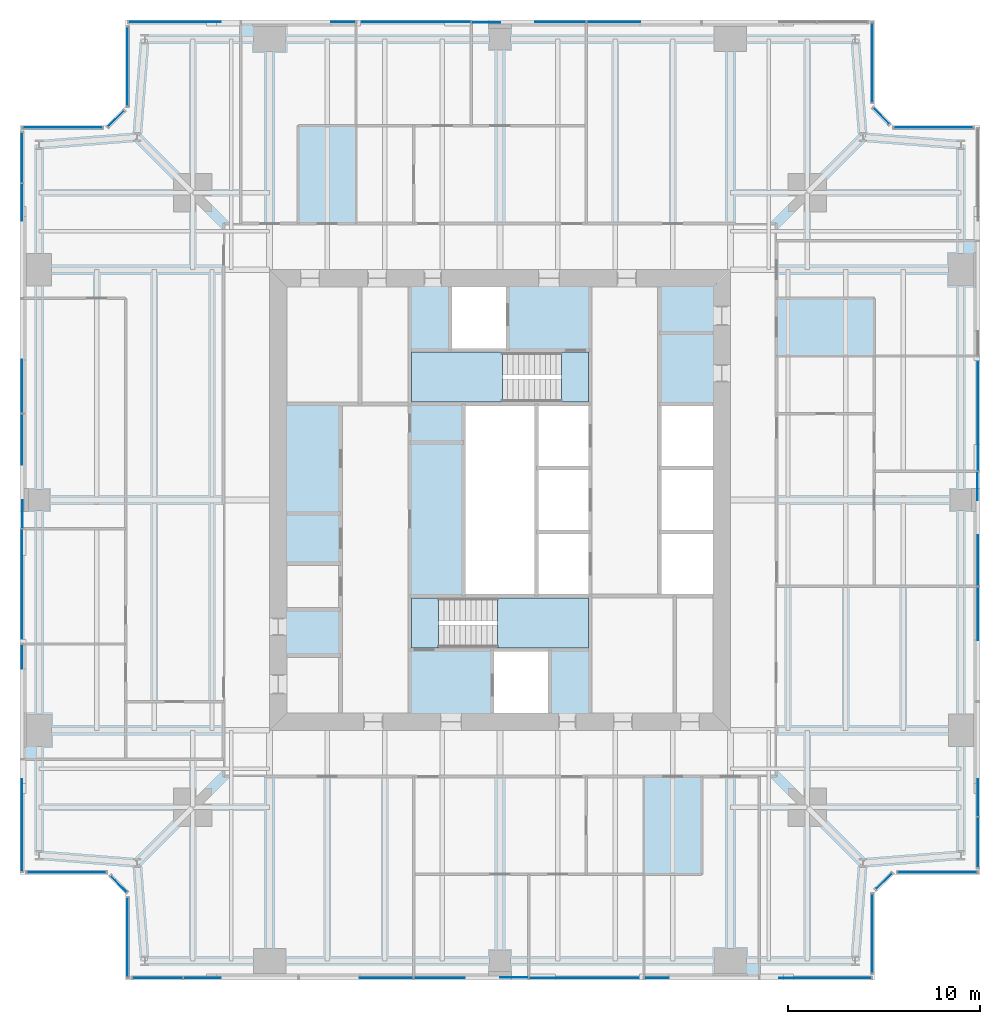
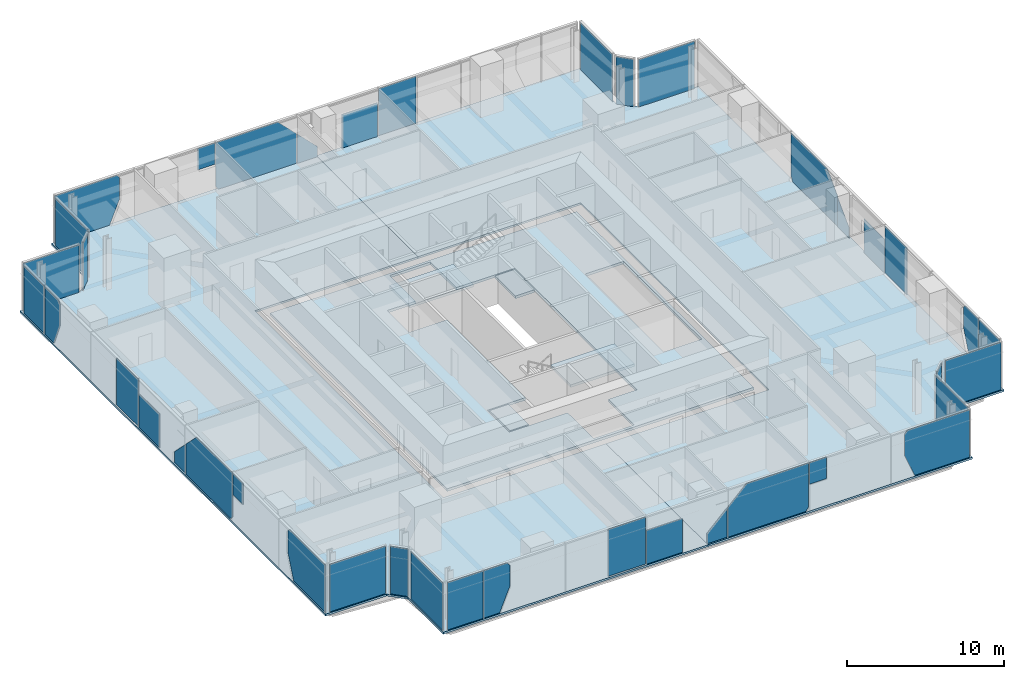
# One storey, part 8 of 15: 40 plates, 7 slabs, 18 elements without a shape of their own.
"""IFC4 building model written with IfcOpenShell, lengths in metres."""

from ifc_helpers import new_model, si_unit, direction, frame, origin, origin_2d, place, context, subcontext, project, spatial, polyline, rectangle, outline, extrude, material, layer, layer_set, type_object, element, aggregate, save


model = new_model("IFC4")

# Units and contexts
model_context = context("Model", 3, precision=1e-05, world=origin(), true_north=direction((0.0, 1.0)))
body_context = subcontext(model_context, "Body", "Model", "MODEL_VIEW")
ifc_project = project(units=[si_unit("LENGTHUNIT", "METRE"), si_unit("AREAUNIT", "SQUARE_METRE"), si_unit("VOLUMEUNIT", "CUBIC_METRE"), si_unit("PLANEANGLEUNIT", "RADIAN"), si_unit("MASSUNIT", "GRAM", prefix="KILO")], contexts=[model_context])

# Site, building, storey
site_placement = place(None, origin())
site = spatial("IfcSite", under=ifc_project, at=site_placement, CompositionType="ELEMENT")
building_placement = place(site_placement, origin())
building = spatial("IfcBuilding", under=site, at=building_placement, Name="Fenwick Lantern Interchange", CompositionType="ELEMENT")
storey_placement = place(building_placement, frame((0.0, 0.0, 229.800048828125)))
storey = spatial("IfcBuildingStorey", under=building, at=storey_placement, Name="L54", CompositionType="ELEMENT", Elevation=229.800048828125)

# Slabs
ifc_material_1 = material(Name="Concrete f'c 35 MPa", Category="concrete")
ifc_layer_1 = layer(ifc_material_1, 0.199951171875)
ifc_layer_set_1 = layer_set([ifc_layer_1], Name="CORE FLOOR SLAB 200")
slab_type_1 = type_object("IfcSlabType", Name="CORE FLOOR SLAB 200", PredefinedType="FLOOR", material=ifc_layer_set_1)
slab_1_placement = place(storey_placement, frame((0.0, 0.0, -0.199951171875)))
element("IfcSlab", 1, at=slab_1_placement, inside=storey, type_object=slab_type_1, Name="L54/SLAB/CORE", PredefinedType="FLOOR", context=body_context, shape_type="SweptSolid", body=[
    extrude(outline(polyline([(13.699951171875, 36.300048828125), (36.300048828125, 36.300048828125), (36.300048828125, 13.699951171875), (13.699951171875, 13.699951171875), (13.699951171875, 36.300048828125)]), holes=[polyline([(24.60009765625, 13.89990234375), (27.60009765625, 13.89990234375), (27.60009765625, 17.199951171875), (29.699951171875, 17.199951171875), (29.699951171875, 20.0), (29.699951171875, 23.333251953125), (29.699951171875, 26.666748046875), (29.699951171875, 30.0), (29.699951171875, 32.800048828125), (25.39990234375, 32.800048828125), (25.39990234375, 36.10009765625), (22.39990234375, 36.10009765625), (22.39990234375, 32.800048828125), (20.300048828125, 32.800048828125), (20.300048828125, 30.0), (23.10009765625, 30.0), (23.10009765625, 20.0), (20.300048828125, 20.0), (20.300048828125, 17.199951171875), (24.60009765625, 17.199951171875), (24.60009765625, 13.89990234375)]), polyline([(33.300048828125, 23.333251953125), (33.300048828125, 20.0), (36.10009765625, 20.0), (36.10009765625, 23.333251953125), (36.10009765625, 26.666748046875), (36.10009765625, 30.0), (33.300048828125, 30.0), (33.300048828125, 26.666748046875), (33.300048828125, 23.333251953125)])]), origin(), (0.0, 0.0, 1.0), 0.199951171875),
])
ifc_material_2 = material(Name="Concrete f'c 35 MPa", Category="concrete")
ifc_layer_2 = layer(ifc_material_2, 0.14990234375)
ifc_layer_set_2 = layer_set([ifc_layer_2], Name="Concrete f'c 35 MPa")
slab_type_2 = type_object("IfcSlabType", Name="FLOOR SLAB 150", PredefinedType="FLOOR", material=ifc_layer_set_2)
slab_2_placement = place(storey_placement, frame((0.0, 0.0, -0.150146484375)))
element("IfcSlab", 2, at=slab_2_placement, inside=storey, type_object=slab_type_2, Name="L54/SLAB/FW", PredefinedType="FLOOR", context=body_context, shape_type="SweptSolid", body=[
    extrude(outline(polyline([(5.5, 0.0), (5.5, 4.5), (4.5, 5.5), (0.0, 5.5), (0.0, 44.5), (4.5, 44.5), (5.5, 45.5), (5.5, 50.0), (25.0, 50.0), (25.0, 37.0), (13.0, 37.0), (13.0, 13.0), (25.0, 13.0), (25.0, 0.0), (5.5, 0.0)])), origin(), (0.0, 0.0, 1.0), 0.150146484375),
])
slab_3_placement = place(storey_placement, frame((0.0, 0.0, -0.150146484375)))
element("IfcSlab", 3, at=slab_3_placement, inside=storey, type_object=slab_type_2, Name="L54/SLAB/FE", PredefinedType="FLOOR", context=body_context, shape_type="SweptSolid", body=[
    extrude(outline(polyline([(44.5, 50.0), (44.5, 45.5), (45.5, 44.5), (50.0, 44.5), (50.0, 5.5), (45.5, 5.5), (44.5, 4.5), (44.5, 0.0), (25.0, 0.0), (25.0, 13.0), (37.0, 13.0), (37.0, 37.0), (25.0, 37.0), (25.0, 50.0), (44.5, 50.0)])), origin(), (0.0, 0.0, 1.0), 0.150146484375),
])

# Curtain wall, plates
ifc_material_3 = material(Name="Aluminium curtain wall frame", Category="aluminium")
curtain_wall_type = type_object("IfcCurtainWallType", Name="OFFICE CURTAIN WALL", PredefinedType="USERDEFINED", material=ifc_material_3)
curtain_wall_1_placement = place(storey_placement, origin())
curtain_wall_1 = element("IfcCurtainWall", 4, at=curtain_wall_1_placement, inside=storey, type_object=curtain_wall_type, Name="Office curtain wall 01", ObjectType="OFFICE CURTAIN WALL", PredefinedType="USERDEFINED")
ifc_material_4 = material(Name="Vision glass, clear low-iron double glazed", Category="glass")
ifc_layer_3 = layer(ifc_material_4, 0.031982421875)
ifc_layer_set_3 = layer_set([ifc_layer_3], Name="OFFICE CURTAIN WALL PANEL 32")
plate_type = type_object("IfcPlateType", Name="OFFICE CURTAIN WALL PANEL 32", PredefinedType="CURTAIN_PANEL", material=ifc_layer_set_3)
plate_1_placement = place(storey_placement, frame((7.166259765625, 0.10009765625, 0.0), z_axis=(0.0, 0.0, 1.0), x_axis=(1.0, 0.0, 0.0)))
plate_1 = element("IfcPlate", 5, at=plate_1_placement, type_object=plate_type, Name="L54/CW/01/P00", PredefinedType="CURTAIN_PANEL", context=body_context, shape_type="SweptSolid", body=[
    extrude(rectangle(XDim=2.6025390625, YDim=0.031982421875, at=origin_2d()), origin(), (0.0, 0.0, 1.0), 3.699951171875),
])
plate_2_placement = place(storey_placement, frame((5.60009765625, 0.10009765625, 0.0), z_axis=(0.0, 0.0, 1.0), x_axis=(1.0, 0.0, 0.0)))
plate_2 = element("IfcPlate", 6, at=plate_2_placement, type_object=plate_type, Name="L54/CW/01/P01a", PredefinedType="CURTAIN_PANEL", context=body_context, shape_type="SweptSolid", body=[
    extrude(outline(polyline([(2.9326171875, 0.0), (4.11328125, 0.0), (4.8544921875, 1.810791015625), (4.8544921875, 3.463134765625), (4.637451171875, 3.699951171875), (2.9326171875, 3.699951171875), (2.9326171875, 0.0)])), frame((0.0, 0.01611328125, 0.0), z_axis=(0.0, -1.0, 0.0), x_axis=(1.0, 0.0, 0.0)), (0.0, 0.0, 1.0), 0.031982421875),
])
plate_3_placement = place(storey_placement, frame((5.60009765625, 0.10009765625, 0.039306640625), z_axis=(0.0, 0.0, 1.0), x_axis=(1.0, 0.0, 0.0)))
plate_3 = element("IfcPlate", 7, at=plate_3_placement, type_object=plate_type, Name="L54/CW/01/P02a", PredefinedType="CURTAIN_PANEL", context=body_context, shape_type="SweptSolid", body=[
    extrude(outline(polyline([(12.103271484375, 0.0), (14.867431640625, 0.0), (14.867431640625, 3.66064453125), (12.103271484375, 3.66064453125), (12.103271484375, 0.0)])), frame((0.0, 0.01611328125, 0.0), z_axis=(0.0, -1.0, 0.0), x_axis=(1.0, 0.0, 0.0)), (0.0, 0.0, 1.0), 0.031982421875),
])
plate_4_placement = place(storey_placement, frame((5.60009765625, 0.10009765625, 0.0), z_axis=(0.0, 0.0, 1.0), x_axis=(1.0, 0.0, 0.0)))
plate_4 = element("IfcPlate", 8, at=plate_4_placement, type_object=plate_type, Name="L54/CW/01/P03a", PredefinedType="CURTAIN_PANEL", context=body_context, shape_type="SweptSolid", body=[
    extrude(outline(polyline([(14.9326171875, 0.0), (17.5673828125, 0.0), (17.5673828125, 2.636962890625), (14.9326171875, 2.636962890625), (14.9326171875, 0.0)])), frame((0.0, 0.01611328125, 0.0), z_axis=(0.0, -1.0, 0.0), x_axis=(1.0, 0.0, 0.0)), (0.0, 0.0, 1.0), 0.031982421875),
])
plate_5_placement = place(storey_placement, frame((5.60009765625, 0.10009765625, 0.0), z_axis=(0.0, 0.0, 1.0), x_axis=(1.0, 0.0, 0.0)))
plate_5 = element("IfcPlate", 9, at=plate_5_placement, type_object=plate_type, Name="L54/CW/01/P03b", PredefinedType="CURTAIN_PANEL", context=body_context, shape_type="SweptSolid", body=[
    extrude(outline(polyline([(19.39990234375, 0.0), (20.867431640625, 0.0), (20.867431640625, 2.27197265625), (19.39990234375, 0.804443359375), (19.39990234375, 0.0)])), frame((0.0, 0.0498046875, 0.0), z_axis=(0.0, -1.0, 0.0), x_axis=(1.0, 0.0, 0.0)), (0.0, 0.0, 1.0), 0.031982421875),
])
plate_6_placement = place(storey_placement, frame((5.60009765625, 0.10009765625, 0.0), z_axis=(0.0, 0.0, 1.0), x_axis=(1.0, 0.0, 0.0)))
plate_6 = element("IfcPlate", 10, at=plate_6_placement, type_object=plate_type, Name="L54/CW/01/P04a", PredefinedType="CURTAIN_PANEL", context=body_context, shape_type="SweptSolid", body=[
    extrude(outline(polyline([(20.9326171875, 0.0), (26.6669921875, 0.0), (26.867431640625, 0.265380859375), (26.867431640625, 3.699951171875), (22.295654296875, 3.699951171875), (20.9326171875, 2.3369140625), (20.9326171875, 0.0)])), frame((0.0, 0.01611328125, 0.0), z_axis=(0.0, -1.0, 0.0), x_axis=(1.0, 0.0, 0.0)), (0.0, 0.0, 1.0), 0.031982421875),
])
plate_7_placement = place(storey_placement, frame((5.60009765625, 0.10009765625, 2.02587890625), z_axis=(0.0, 0.0, 1.0), x_axis=(1.0, 0.0, 0.0)))
plate_7 = element("IfcPlate", 11, at=plate_7_placement, type_object=plate_type, Name="L54/CW/01/P05a", PredefinedType="CURTAIN_PANEL", context=body_context, shape_type="SweptSolid", body=[
    extrude(outline(polyline([(26.9326171875, 0.0), (28.197509765625, 0.0), (28.197509765625, 1.674072265625), (26.9326171875, 1.674072265625), (26.9326171875, 0.0)])), frame((0.0, 0.01611328125, 0.0), z_axis=(0.0, -1.0, 0.0), x_axis=(1.0, 0.0, 0.0)), (0.0, 0.0, 1.0), 0.031982421875),
])
plate_8_placement = place(storey_placement, frame((5.60009765625, 0.10009765625, 0.0), z_axis=(0.0, 0.0, 1.0), x_axis=(1.0, 0.0, 0.0)))
plate_8 = element("IfcPlate", 12, at=plate_8_placement, type_object=plate_type, Name="L54/CW/01/P06a", PredefinedType="CURTAIN_PANEL", context=body_context, shape_type="SweptSolid", body=[
    extrude(outline(polyline([(34.6865234375, 0.0), (38.735107421875, 0.0), (38.735107421875, 3.699951171875), (34.16259765625, 3.699951171875), (33.945556640625, 3.463134765625), (33.945556640625, 1.810791015625), (34.6865234375, 0.0)])), frame((0.0, 0.01611328125, 0.0), z_axis=(0.0, -1.0, 0.0), x_axis=(1.0, 0.0, 0.0)), (0.0, 0.0, 1.0), 0.031982421875),
])
aggregate(curtain_wall_1, [plate_1, plate_2, plate_3, plate_4, plate_5, plate_6, plate_7, plate_8])

# Curtain wall, plate
curtain_wall_2_placement = place(storey_placement, origin())
curtain_wall_2 = element("IfcCurtainWall", 13, at=curtain_wall_2_placement, inside=storey, type_object=curtain_wall_type, Name="Office curtain wall 02", ObjectType="OFFICE CURTAIN WALL", PredefinedType="USERDEFINED")
plate_9_placement = place(storey_placement, frame((44.39990234375, 2.420654296875, 0.0), z_axis=(0.0, 0.0, 1.0), x_axis=(0.0, 1.0, 0.0)))
plate_9 = element("IfcPlate", 14, at=plate_9_placement, type_object=plate_type, Name="L54/CW/02/P00", PredefinedType="CURTAIN_PANEL", context=body_context, shape_type="SweptSolid", body=[
    extrude(rectangle(XDim=4.111328125, YDim=0.031982421875, at=origin_2d()), origin(), (0.0, 0.0, 1.0), 3.699951171875),
])
aggregate(curtain_wall_2, [plate_9])

curtain_wall_3_placement = place(storey_placement, origin())
curtain_wall_3 = element("IfcCurtainWall", 15, at=curtain_wall_3_placement, inside=storey, type_object=curtain_wall_type, Name="Office curtain wall 03", ObjectType="OFFICE CURTAIN WALL", PredefinedType="USERDEFINED")
plate_10_placement = place(storey_placement, frame((45.0, 5.141357421875, 0.0), z_axis=(0.0, 0.0, 1.0), x_axis=(0.707106781187, 0.707106781187, 0.0)))
plate_10 = element("IfcPlate", 16, at=plate_10_placement, type_object=plate_type, Name="L54/CW/03/P00", PredefinedType="CURTAIN_PANEL", context=body_context, shape_type="SweptSolid", body=[
    extrude(rectangle(XDim=1.1669921875, YDim=0.031982421875, at=origin_2d()), origin(), (0.0, 0.0, 1.0), 3.699951171875),
])
aggregate(curtain_wall_3, [plate_10])

curtain_wall_4_placement = place(storey_placement, origin())
curtain_wall_4 = element("IfcCurtainWall", 17, at=curtain_wall_4_placement, inside=storey, type_object=curtain_wall_type, Name="Office curtain wall 04", ObjectType="OFFICE CURTAIN WALL", PredefinedType="USERDEFINED")
plate_11_placement = place(storey_placement, frame((47.779296875, 5.60009765625, 0.0), z_axis=(0.0, 0.0, 1.0), x_axis=(1.0, 0.0, 0.0)))
plate_11 = element("IfcPlate", 18, at=plate_11_placement, type_object=plate_type, Name="L54/CW/04/P00", PredefinedType="CURTAIN_PANEL", context=body_context, shape_type="SweptSolid", body=[
    extrude(rectangle(XDim=4.111328125, YDim=0.031982421875, at=origin_2d()), origin(), (0.0, 0.0, 1.0), 3.699951171875),
])
aggregate(curtain_wall_4, [plate_11])

# Curtain wall, plates
curtain_wall_5_placement = place(storey_placement, origin())
curtain_wall_5 = element("IfcCurtainWall", 19, at=curtain_wall_5_placement, inside=storey, type_object=curtain_wall_type, Name="Office curtain wall 05", ObjectType="OFFICE CURTAIN WALL", PredefinedType="USERDEFINED")
plate_12_placement = place(storey_placement, frame((49.89990234375, 7.166259765625, 0.0), z_axis=(0.0, 0.0, 1.0), x_axis=(0.0, 1.0, 0.0)))
plate_12 = element("IfcPlate", 20, at=plate_12_placement, type_object=plate_type, Name="L54/CW/05/P00", PredefinedType="CURTAIN_PANEL", context=body_context, shape_type="SweptSolid", body=[
    extrude(rectangle(XDim=2.6025390625, YDim=0.031982421875, at=origin_2d()), origin(), (0.0, 0.0, 1.0), 3.699951171875),
])
plate_13_placement = place(storey_placement, frame((49.89990234375, 5.60009765625, 0.0), z_axis=(0.0, 0.0, 1.0), x_axis=(0.0, 1.0, 0.0)))
plate_13 = element("IfcPlate", 21, at=plate_13_placement, type_object=plate_type, Name="L54/CW/05/P01a", PredefinedType="CURTAIN_PANEL", context=body_context, shape_type="SweptSolid", body=[
    extrude(outline(polyline([(2.9326171875, 0.0), (4.11328125, 0.0), (4.8544921875, 1.810791015625), (4.8544921875, 3.463134765625), (4.637451171875, 3.699951171875), (2.9326171875, 3.699951171875), (2.9326171875, 0.0)])), frame((0.0, 0.01611328125, 0.0), z_axis=(0.0, -1.0, 0.0), x_axis=(1.0, 0.0, 0.0)), (0.0, 0.0, 1.0), 0.031982421875),
])
plate_14_placement = place(storey_placement, frame((49.89990234375, 5.60009765625, 0.039306640625), z_axis=(0.0, 0.0, 1.0), x_axis=(0.0, 1.0, 0.0)))
plate_14 = element("IfcPlate", 22, at=plate_14_placement, type_object=plate_type, Name="L54/CW/05/P02a", PredefinedType="CURTAIN_PANEL", context=body_context, shape_type="SweptSolid", body=[
    extrude(outline(polyline([(12.103271484375, 0.0), (14.867431640625, 0.0), (14.867431640625, 3.66064453125), (12.103271484375, 3.66064453125), (12.103271484375, 0.0)])), frame((0.0, 0.01611328125, 0.0), z_axis=(0.0, -1.0, 0.0), x_axis=(1.0, 0.0, 0.0)), (0.0, 0.0, 1.0), 0.031982421875),
])
plate_15_placement = place(storey_placement, frame((49.89990234375, 5.60009765625, 0.0), z_axis=(0.0, 0.0, 1.0), x_axis=(0.0, 1.0, 0.0)))
plate_15 = element("IfcPlate", 23, at=plate_15_placement, type_object=plate_type, Name="L54/CW/05/P03a", PredefinedType="CURTAIN_PANEL", context=body_context, shape_type="SweptSolid", body=[
    extrude(outline(polyline([(14.9326171875, 0.0), (17.5673828125, 0.0), (17.5673828125, 2.636962890625), (14.9326171875, 2.636962890625), (14.9326171875, 0.0)])), frame((0.0, 0.01611328125, 0.0), z_axis=(0.0, -1.0, 0.0), x_axis=(1.0, 0.0, 0.0)), (0.0, 0.0, 1.0), 0.031982421875),
])
plate_16_placement = place(storey_placement, frame((49.89990234375, 5.60009765625, 0.0), z_axis=(0.0, 0.0, 1.0), x_axis=(0.0, 1.0, 0.0)))
plate_16 = element("IfcPlate", 24, at=plate_16_placement, type_object=plate_type, Name="L54/CW/05/P03b", PredefinedType="CURTAIN_PANEL", context=body_context, shape_type="SweptSolid", body=[
    extrude(outline(polyline([(19.39990234375, 0.0), (20.867431640625, 0.0), (20.867431640625, 2.27197265625), (19.39990234375, 0.804443359375), (19.39990234375, 0.0)])), frame((0.0, 0.0498046875, 0.0), z_axis=(0.0, -1.0, 0.0), x_axis=(1.0, 0.0, 0.0)), (0.0, 0.0, 1.0), 0.031982421875),
])
plate_17_placement = place(storey_placement, frame((49.89990234375, 5.60009765625, 0.0), z_axis=(0.0, 0.0, 1.0), x_axis=(0.0, 1.0, 0.0)))
plate_17 = element("IfcPlate", 25, at=plate_17_placement, type_object=plate_type, Name="L54/CW/05/P04a", PredefinedType="CURTAIN_PANEL", context=body_context, shape_type="SweptSolid", body=[
    extrude(outline(polyline([(20.9326171875, 0.0), (26.6669921875, 0.0), (26.867431640625, 0.265380859375), (26.867431640625, 3.699951171875), (22.295654296875, 3.699951171875), (20.9326171875, 2.3369140625), (20.9326171875, 0.0)])), frame((0.0, 0.01611328125, 0.0), z_axis=(0.0, -1.0, 0.0), x_axis=(1.0, 0.0, 0.0)), (0.0, 0.0, 1.0), 0.031982421875),
])
aggregate(curtain_wall_5, [plate_12, plate_13, plate_14, plate_15, plate_16, plate_17])

# Curtain wall, plate
curtain_wall_6_placement = place(storey_placement, origin())
curtain_wall_6 = element("IfcCurtainWall", 26, at=curtain_wall_6_placement, inside=storey, type_object=curtain_wall_type, Name="Office curtain wall 06", ObjectType="OFFICE CURTAIN WALL", PredefinedType="USERDEFINED")
plate_18_placement = place(storey_placement, frame((47.579345703125, 44.39990234375, 0.0), z_axis=(0.0, 0.0, 1.0), x_axis=(-1.0, 0.0, 0.0)))
plate_18 = element("IfcPlate", 27, at=plate_18_placement, type_object=plate_type, Name="L54/CW/06/P00", PredefinedType="CURTAIN_PANEL", context=body_context, shape_type="SweptSolid", body=[
    extrude(rectangle(XDim=4.111328125, YDim=0.031982421875, at=origin_2d()), origin(), (0.0, 0.0, 1.0), 3.699951171875),
])
aggregate(curtain_wall_6, [plate_18])

curtain_wall_7_placement = place(storey_placement, origin())
curtain_wall_7 = element("IfcCurtainWall", 28, at=curtain_wall_7_placement, inside=storey, type_object=curtain_wall_type, Name="Office curtain wall 07", ObjectType="OFFICE CURTAIN WALL", PredefinedType="USERDEFINED")
plate_19_placement = place(storey_placement, frame((44.858642578125, 45.0, 0.0), z_axis=(0.0, 0.0, 1.0), x_axis=(-0.707106781187, 0.707106781187, 0.0)))
plate_19 = element("IfcPlate", 29, at=plate_19_placement, type_object=plate_type, Name="L54/CW/07/P00", PredefinedType="CURTAIN_PANEL", context=body_context, shape_type="SweptSolid", body=[
    extrude(rectangle(XDim=1.1669921875, YDim=0.031982421875, at=origin_2d()), origin(), (0.0, 0.0, 1.0), 3.699951171875),
])
aggregate(curtain_wall_7, [plate_19])

curtain_wall_8_placement = place(storey_placement, origin())
curtain_wall_8 = element("IfcCurtainWall", 30, at=curtain_wall_8_placement, inside=storey, type_object=curtain_wall_type, Name="Office curtain wall 08", ObjectType="OFFICE CURTAIN WALL", PredefinedType="USERDEFINED")
plate_20_placement = place(storey_placement, frame((44.39990234375, 47.779296875, 0.0), z_axis=(0.0, 0.0, 1.0), x_axis=(0.0, 1.0, 0.0)))
plate_20 = element("IfcPlate", 31, at=plate_20_placement, type_object=plate_type, Name="L54/CW/08/P00", PredefinedType="CURTAIN_PANEL", context=body_context, shape_type="SweptSolid", body=[
    extrude(rectangle(XDim=4.111328125, YDim=0.031982421875, at=origin_2d()), origin(), (0.0, 0.0, 1.0), 3.699951171875),
])
aggregate(curtain_wall_8, [plate_20])

# Curtain wall, plates
curtain_wall_9_placement = place(storey_placement, origin())
curtain_wall_9 = element("IfcCurtainWall", 32, at=curtain_wall_9_placement, inside=storey, type_object=curtain_wall_type, Name="Office curtain wall 09", ObjectType="OFFICE CURTAIN WALL", PredefinedType="USERDEFINED")
plate_21_placement = place(storey_placement, frame((44.39990234375, 49.89990234375, 0.039306640625), z_axis=(0.0, 0.0, 1.0), x_axis=(-1.0, 0.0, 0.0)))
plate_21 = element("IfcPlate", 33, at=plate_21_placement, type_object=plate_type, Name="L54/CW/09/P02a", PredefinedType="CURTAIN_PANEL", context=body_context, shape_type="SweptSolid", body=[
    extrude(outline(polyline([(12.103271484375, 0.0), (14.867431640625, 0.0), (14.867431640625, 3.66064453125), (12.103271484375, 3.66064453125), (12.103271484375, 0.0)])), frame((0.0, 0.01611328125, 0.0), z_axis=(0.0, -1.0, 0.0), x_axis=(1.0, 0.0, 0.0)), (0.0, 0.0, 1.0), 0.031982421875),
])
plate_22_placement = place(storey_placement, frame((44.39990234375, 49.89990234375, 0.0), z_axis=(0.0, 0.0, 1.0), x_axis=(-1.0, 0.0, 0.0)))
plate_22 = element("IfcPlate", 34, at=plate_22_placement, type_object=plate_type, Name="L54/CW/09/P03a", PredefinedType="CURTAIN_PANEL", context=body_context, shape_type="SweptSolid", body=[
    extrude(outline(polyline([(14.9326171875, 0.0), (17.5673828125, 0.0), (17.5673828125, 2.636962890625), (14.9326171875, 2.636962890625), (14.9326171875, 0.0)])), frame((0.0, 0.01611328125, 0.0), z_axis=(0.0, -1.0, 0.0), x_axis=(1.0, 0.0, 0.0)), (0.0, 0.0, 1.0), 0.031982421875),
])
plate_23_placement = place(storey_placement, frame((44.39990234375, 49.89990234375, 0.0), z_axis=(0.0, 0.0, 1.0), x_axis=(-1.0, 0.0, 0.0)))
plate_23 = element("IfcPlate", 35, at=plate_23_placement, type_object=plate_type, Name="L54/CW/09/P03b", PredefinedType="CURTAIN_PANEL", context=body_context, shape_type="SweptSolid", body=[
    extrude(outline(polyline([(19.39990234375, 0.0), (20.867431640625, 0.0), (20.867431640625, 2.27197265625), (19.39990234375, 0.804443359375), (19.39990234375, 0.0)])), frame((0.0, 0.0498046875, 0.0), z_axis=(0.0, -1.0, 0.0), x_axis=(1.0, 0.0, 0.0)), (0.0, 0.0, 1.0), 0.031982421875),
])
plate_24_placement = place(storey_placement, frame((44.39990234375, 49.89990234375, 0.0), z_axis=(0.0, 0.0, 1.0), x_axis=(-1.0, 0.0, 0.0)))
plate_24 = element("IfcPlate", 36, at=plate_24_placement, type_object=plate_type, Name="L54/CW/09/P04a", PredefinedType="CURTAIN_PANEL", context=body_context, shape_type="SweptSolid", body=[
    extrude(outline(polyline([(20.9326171875, 0.0), (26.6669921875, 0.0), (26.867431640625, 0.265380859375), (26.867431640625, 3.699951171875), (22.295654296875, 3.699951171875), (20.9326171875, 2.3369140625), (20.9326171875, 0.0)])), frame((0.0, 0.01611328125, 0.0), z_axis=(0.0, -1.0, 0.0), x_axis=(1.0, 0.0, 0.0)), (0.0, 0.0, 1.0), 0.031982421875),
])
plate_25_placement = place(storey_placement, frame((44.39990234375, 49.89990234375, 2.02587890625), z_axis=(0.0, 0.0, 1.0), x_axis=(-1.0, 0.0, 0.0)))
plate_25 = element("IfcPlate", 37, at=plate_25_placement, type_object=plate_type, Name="L54/CW/09/P05a", PredefinedType="CURTAIN_PANEL", context=body_context, shape_type="SweptSolid", body=[
    extrude(outline(polyline([(26.9326171875, 0.0), (28.197509765625, 0.0), (28.197509765625, 1.674072265625), (26.9326171875, 1.674072265625), (26.9326171875, 0.0)])), frame((0.0, 0.01611328125, 0.0), z_axis=(0.0, -1.0, 0.0), x_axis=(1.0, 0.0, 0.0)), (0.0, 0.0, 1.0), 0.031982421875),
])
plate_26_placement = place(storey_placement, frame((44.39990234375, 49.89990234375, 0.0), z_axis=(0.0, 0.0, 1.0), x_axis=(-1.0, 0.0, 0.0)))
plate_26 = element("IfcPlate", 38, at=plate_26_placement, type_object=plate_type, Name="L54/CW/09/P06a", PredefinedType="CURTAIN_PANEL", context=body_context, shape_type="SweptSolid", body=[
    extrude(outline(polyline([(34.6865234375, 0.0), (38.735107421875, 0.0), (38.735107421875, 3.699951171875), (34.16259765625, 3.699951171875), (33.945556640625, 3.463134765625), (33.945556640625, 1.810791015625), (34.6865234375, 0.0)])), frame((0.0, 0.01611328125, 0.0), z_axis=(0.0, -1.0, 0.0), x_axis=(1.0, 0.0, 0.0)), (0.0, 0.0, 1.0), 0.031982421875),
])
aggregate(curtain_wall_9, [plate_21, plate_22, plate_23, plate_24, plate_25, plate_26])

# Curtain wall, plate
curtain_wall_10_placement = place(storey_placement, origin())
curtain_wall_10 = element("IfcCurtainWall", 39, at=curtain_wall_10_placement, inside=storey, type_object=curtain_wall_type, Name="Office curtain wall 10", ObjectType="OFFICE CURTAIN WALL", PredefinedType="USERDEFINED")
plate_27_placement = place(storey_placement, frame((5.60009765625, 47.579345703125, 0.0), z_axis=(0.0, 0.0, 1.0), x_axis=(0.0, -1.0, 0.0)))
plate_27 = element("IfcPlate", 40, at=plate_27_placement, type_object=plate_type, Name="L54/CW/10/P00", PredefinedType="CURTAIN_PANEL", context=body_context, shape_type="SweptSolid", body=[
    extrude(rectangle(XDim=4.111328125, YDim=0.031982421875, at=origin_2d()), origin(), (0.0, 0.0, 1.0), 3.699951171875),
])
aggregate(curtain_wall_10, [plate_27])

curtain_wall_11_placement = place(storey_placement, origin())
curtain_wall_11 = element("IfcCurtainWall", 41, at=curtain_wall_11_placement, inside=storey, type_object=curtain_wall_type, Name="Office curtain wall 11", ObjectType="OFFICE CURTAIN WALL", PredefinedType="USERDEFINED")
plate_28_placement = place(storey_placement, frame((5.0, 44.858642578125, 0.0), z_axis=(0.0, 0.0, 1.0), x_axis=(-0.707106781187, -0.707106781187, 0.0)))
plate_28 = element("IfcPlate", 42, at=plate_28_placement, type_object=plate_type, Name="L54/CW/11/P00", PredefinedType="CURTAIN_PANEL", context=body_context, shape_type="SweptSolid", body=[
    extrude(rectangle(XDim=1.1669921875, YDim=0.031982421875, at=origin_2d()), origin(), (0.0, 0.0, 1.0), 3.699951171875),
])
aggregate(curtain_wall_11, [plate_28])

curtain_wall_12_placement = place(storey_placement, origin())
curtain_wall_12 = element("IfcCurtainWall", 43, at=curtain_wall_12_placement, inside=storey, type_object=curtain_wall_type, Name="Office curtain wall 12", ObjectType="OFFICE CURTAIN WALL", PredefinedType="USERDEFINED")
plate_29_placement = place(storey_placement, frame((2.220703125, 44.39990234375, 0.0), z_axis=(0.0, 0.0, 1.0), x_axis=(-1.0, 0.0, 0.0)))
plate_29 = element("IfcPlate", 44, at=plate_29_placement, type_object=plate_type, Name="L54/CW/12/P00", PredefinedType="CURTAIN_PANEL", context=body_context, shape_type="SweptSolid", body=[
    extrude(rectangle(XDim=4.111328125, YDim=0.031982421875, at=origin_2d()), origin(), (0.0, 0.0, 1.0), 3.699951171875),
])
aggregate(curtain_wall_12, [plate_29])

# Curtain wall, plates
curtain_wall_13_placement = place(storey_placement, origin())
curtain_wall_13 = element("IfcCurtainWall", 45, at=curtain_wall_13_placement, inside=storey, type_object=curtain_wall_type, Name="Office curtain wall 13", ObjectType="OFFICE CURTAIN WALL", PredefinedType="USERDEFINED")
plate_30_placement = place(storey_placement, frame((0.10009765625, 42.833740234375, 0.0), z_axis=(0.0, 0.0, 1.0), x_axis=(0.0, -1.0, 0.0)))
plate_30 = element("IfcPlate", 46, at=plate_30_placement, type_object=plate_type, Name="L54/CW/13/P00", PredefinedType="CURTAIN_PANEL", context=body_context, shape_type="SweptSolid", body=[
    extrude(rectangle(XDim=2.6025390625, YDim=0.031982421875, at=origin_2d()), origin(), (0.0, 0.0, 1.0), 3.699951171875),
])
plate_31_placement = place(storey_placement, frame((0.10009765625, 44.39990234375, 0.0), z_axis=(0.0, 0.0, 1.0), x_axis=(0.0, -1.0, 0.0)))
plate_31 = element("IfcPlate", 47, at=plate_31_placement, type_object=plate_type, Name="L54/CW/13/P01a", PredefinedType="CURTAIN_PANEL", context=body_context, shape_type="SweptSolid", body=[
    extrude(outline(polyline([(2.9326171875, 0.0), (4.11328125, 0.0), (4.8544921875, 1.810791015625), (4.8544921875, 3.463134765625), (4.637451171875, 3.699951171875), (2.9326171875, 3.699951171875), (2.9326171875, 0.0)])), frame((0.0, 0.01611328125, 0.0), z_axis=(0.0, -1.0, 0.0), x_axis=(1.0, 0.0, 0.0)), (0.0, 0.0, 1.0), 0.031982421875),
])
plate_32_placement = place(storey_placement, frame((0.10009765625, 44.39990234375, 0.039306640625), z_axis=(0.0, 0.0, 1.0), x_axis=(0.0, -1.0, 0.0)))
plate_32 = element("IfcPlate", 48, at=plate_32_placement, type_object=plate_type, Name="L54/CW/13/P02a", PredefinedType="CURTAIN_PANEL", context=body_context, shape_type="SweptSolid", body=[
    extrude(outline(polyline([(12.103271484375, 0.0), (14.867431640625, 0.0), (14.867431640625, 3.66064453125), (12.103271484375, 3.66064453125), (12.103271484375, 0.0)])), frame((0.0, 0.01611328125, 0.0), z_axis=(0.0, -1.0, 0.0), x_axis=(1.0, 0.0, 0.0)), (0.0, 0.0, 1.0), 0.031982421875),
])
plate_33_placement = place(storey_placement, frame((0.10009765625, 44.39990234375, 0.0), z_axis=(0.0, 0.0, 1.0), x_axis=(0.0, -1.0, 0.0)))
plate_33 = element("IfcPlate", 49, at=plate_33_placement, type_object=plate_type, Name="L54/CW/13/P03a", PredefinedType="CURTAIN_PANEL", context=body_context, shape_type="SweptSolid", body=[
    extrude(outline(polyline([(14.9326171875, 0.0), (17.5673828125, 0.0), (17.5673828125, 2.636962890625), (14.9326171875, 2.636962890625), (14.9326171875, 0.0)])), frame((0.0, 0.01611328125, 0.0), z_axis=(0.0, -1.0, 0.0), x_axis=(1.0, 0.0, 0.0)), (0.0, 0.0, 1.0), 0.031982421875),
])
plate_34_placement = place(storey_placement, frame((0.10009765625, 44.39990234375, 0.0), z_axis=(0.0, 0.0, 1.0), x_axis=(0.0, -1.0, 0.0)))
plate_34 = element("IfcPlate", 50, at=plate_34_placement, type_object=plate_type, Name="L54/CW/13/P03b", PredefinedType="CURTAIN_PANEL", context=body_context, shape_type="SweptSolid", body=[
    extrude(outline(polyline([(19.39990234375, 0.0), (20.867431640625, 0.0), (20.867431640625, 2.27197265625), (19.39990234375, 0.804443359375), (19.39990234375, 0.0)])), frame((0.0, 0.0498046875, 0.0), z_axis=(0.0, -1.0, 0.0), x_axis=(1.0, 0.0, 0.0)), (0.0, 0.0, 1.0), 0.031982421875),
])
plate_35_placement = place(storey_placement, frame((0.10009765625, 44.39990234375, 0.0), z_axis=(0.0, 0.0, 1.0), x_axis=(0.0, -1.0, 0.0)))
plate_35 = element("IfcPlate", 51, at=plate_35_placement, type_object=plate_type, Name="L54/CW/13/P04a", PredefinedType="CURTAIN_PANEL", context=body_context, shape_type="SweptSolid", body=[
    extrude(outline(polyline([(20.9326171875, 0.0), (26.6669921875, 0.0), (26.867431640625, 0.265380859375), (26.867431640625, 3.699951171875), (22.295654296875, 3.699951171875), (20.9326171875, 2.3369140625), (20.9326171875, 0.0)])), frame((0.0, 0.01611328125, 0.0), z_axis=(0.0, -1.0, 0.0), x_axis=(1.0, 0.0, 0.0)), (0.0, 0.0, 1.0), 0.031982421875),
])
plate_36_placement = place(storey_placement, frame((0.10009765625, 44.39990234375, 2.02587890625), z_axis=(0.0, 0.0, 1.0), x_axis=(0.0, -1.0, 0.0)))
plate_36 = element("IfcPlate", 52, at=plate_36_placement, type_object=plate_type, Name="L54/CW/13/P05a", PredefinedType="CURTAIN_PANEL", context=body_context, shape_type="SweptSolid", body=[
    extrude(outline(polyline([(26.9326171875, 0.0), (28.197509765625, 0.0), (28.197509765625, 1.674072265625), (26.9326171875, 1.674072265625), (26.9326171875, 0.0)])), frame((0.0, 0.01611328125, 0.0), z_axis=(0.0, -1.0, 0.0), x_axis=(1.0, 0.0, 0.0)), (0.0, 0.0, 1.0), 0.031982421875),
])
plate_37_placement = place(storey_placement, frame((0.10009765625, 44.39990234375, 0.0), z_axis=(0.0, 0.0, 1.0), x_axis=(0.0, -1.0, 0.0)))
plate_37 = element("IfcPlate", 53, at=plate_37_placement, type_object=plate_type, Name="L54/CW/13/P06a", PredefinedType="CURTAIN_PANEL", context=body_context, shape_type="SweptSolid", body=[
    extrude(outline(polyline([(34.6865234375, 0.0), (38.735107421875, 0.0), (38.735107421875, 3.699951171875), (34.16259765625, 3.699951171875), (33.945556640625, 3.463134765625), (33.945556640625, 1.810791015625), (34.6865234375, 0.0)])), frame((0.0, 0.01611328125, 0.0), z_axis=(0.0, -1.0, 0.0), x_axis=(1.0, 0.0, 0.0)), (0.0, 0.0, 1.0), 0.031982421875),
])
aggregate(curtain_wall_13, [plate_30, plate_31, plate_32, plate_33, plate_34, plate_35, plate_36, plate_37])

# Curtain wall, plate
curtain_wall_14_placement = place(storey_placement, origin())
curtain_wall_14 = element("IfcCurtainWall", 54, at=curtain_wall_14_placement, inside=storey, type_object=curtain_wall_type, Name="Office curtain wall 14", ObjectType="OFFICE CURTAIN WALL", PredefinedType="USERDEFINED")
plate_38_placement = place(storey_placement, frame((2.420654296875, 5.60009765625, 0.0), z_axis=(0.0, 0.0, 1.0), x_axis=(1.0, 0.0, 0.0)))
plate_38 = element("IfcPlate", 55, at=plate_38_placement, type_object=plate_type, Name="L54/CW/14/P00", PredefinedType="CURTAIN_PANEL", context=body_context, shape_type="SweptSolid", body=[
    extrude(rectangle(XDim=4.111328125, YDim=0.031982421875, at=origin_2d()), origin(), (0.0, 0.0, 1.0), 3.699951171875),
])
aggregate(curtain_wall_14, [plate_38])

curtain_wall_15_placement = place(storey_placement, origin())
curtain_wall_15 = element("IfcCurtainWall", 56, at=curtain_wall_15_placement, inside=storey, type_object=curtain_wall_type, Name="Office curtain wall 15", ObjectType="OFFICE CURTAIN WALL", PredefinedType="USERDEFINED")
plate_39_placement = place(storey_placement, frame((5.141357421875, 5.0, 0.0), z_axis=(0.0, 0.0, 1.0), x_axis=(0.707106781187, -0.707106781187, 0.0)))
plate_39 = element("IfcPlate", 57, at=plate_39_placement, type_object=plate_type, Name="L54/CW/15/P00", PredefinedType="CURTAIN_PANEL", context=body_context, shape_type="SweptSolid", body=[
    extrude(rectangle(XDim=1.1669921875, YDim=0.031982421875, at=origin_2d()), origin(), (0.0, 0.0, 1.0), 3.699951171875),
])
aggregate(curtain_wall_15, [plate_39])

curtain_wall_16_placement = place(storey_placement, origin())
curtain_wall_16 = element("IfcCurtainWall", 58, at=curtain_wall_16_placement, inside=storey, type_object=curtain_wall_type, Name="Office curtain wall 16", ObjectType="OFFICE CURTAIN WALL", PredefinedType="USERDEFINED")
plate_40_placement = place(storey_placement, frame((5.60009765625, 2.220703125, 0.0), z_axis=(0.0, 0.0, 1.0), x_axis=(0.0, -1.0, 0.0)))
plate_40 = element("IfcPlate", 59, at=plate_40_placement, type_object=plate_type, Name="L54/CW/16/P00", PredefinedType="CURTAIN_PANEL", context=body_context, shape_type="SweptSolid", body=[
    extrude(rectangle(XDim=4.111328125, YDim=0.031982421875, at=origin_2d()), origin(), (0.0, 0.0, 1.0), 3.699951171875),
])
aggregate(curtain_wall_16, [plate_40])

# Stair, slabs
ifc_material_5 = material(Name="Precast concrete f'c 35 MPa", Category="concrete")
stair_type = type_object("IfcStairType", Name="EXIT STAIR 1200", PredefinedType="HALF_TURN_STAIR", material=ifc_material_5)
stair_1_placement = place(storey_placement, origin())
stair_1 = element("IfcStair", 60, at=stair_1_placement, inside=storey, type_object=stair_type, Name="Exit stair ST1", PredefinedType="HALF_TURN_STAIR")
ifc_layer_4 = layer(ifc_material_1, 0.199951171875)
ifc_layer_set_4 = layer_set([ifc_layer_4], Name="STAIR LANDING 200")
slab_type_3 = type_object("IfcSlabType", Name="STAIR LANDING 200", PredefinedType="LANDING", material=ifc_layer_set_4)
slab_4_placement = place(storey_placement, frame((0.0, 0.0, 1.800048828125)))
slab_4 = element("IfcSlab", 61, at=slab_4_placement, type_object=slab_type_3, Name="ST1 landing 1", PredefinedType="LANDING", context=body_context, shape_type="SweptSolid", body=[
    extrude(outline(polyline([(24.8798828125, 17.300048828125), (29.60009765625, 17.300048828125), (29.60009765625, 19.89990234375), (24.8798828125, 19.89990234375), (24.8798828125, 17.300048828125)])), origin(), (0.0, 0.0, 1.0), 0.199951171875),
])
slab_5_placement = place(storey_placement, frame((0.0, 0.0, -0.199951171875)))
slab_5 = element("IfcSlab", 62, at=slab_5_placement, type_object=slab_type_3, Name="ST1 landing 2", PredefinedType="LANDING", context=body_context, shape_type="SweptSolid", body=[
    extrude(outline(polyline([(20.39990234375, 17.300048828125), (21.800048828125, 17.300048828125), (21.800048828125, 19.89990234375), (20.39990234375, 19.89990234375), (20.39990234375, 17.300048828125)])), origin(), (0.0, 0.0, 1.0), 0.199951171875),
])
aggregate(stair_1, [slab_4, slab_5])

stair_2_placement = place(storey_placement, origin())
stair_2 = element("IfcStair", 63, at=stair_2_placement, inside=storey, type_object=stair_type, Name="Exit stair ST2", PredefinedType="HALF_TURN_STAIR")
slab_6_placement = place(storey_placement, frame((0.0, 0.0, 1.800048828125)))
slab_6 = element("IfcSlab", 64, at=slab_6_placement, type_object=slab_type_3, Name="ST2 landing 1", PredefinedType="LANDING", context=body_context, shape_type="SweptSolid", body=[
    extrude(outline(polyline([(25.1201171875, 32.699951171875), (20.39990234375, 32.699951171875), (20.39990234375, 30.10009765625), (25.1201171875, 30.10009765625), (25.1201171875, 32.699951171875)])), origin(), (0.0, 0.0, 1.0), 0.199951171875),
])
slab_7_placement = place(storey_placement, frame((0.0, 0.0, -0.199951171875)))
slab_7 = element("IfcSlab", 65, at=slab_7_placement, type_object=slab_type_3, Name="ST2 landing 2", PredefinedType="LANDING", context=body_context, shape_type="SweptSolid", body=[
    extrude(outline(polyline([(29.60009765625, 32.699951171875), (28.199951171875, 32.699951171875), (28.199951171875, 30.10009765625), (29.60009765625, 30.10009765625), (29.60009765625, 32.699951171875)])), origin(), (0.0, 0.0, 1.0), 0.199951171875),
])
aggregate(stair_2, [slab_6, slab_7])

save(model, "model.ifc")
